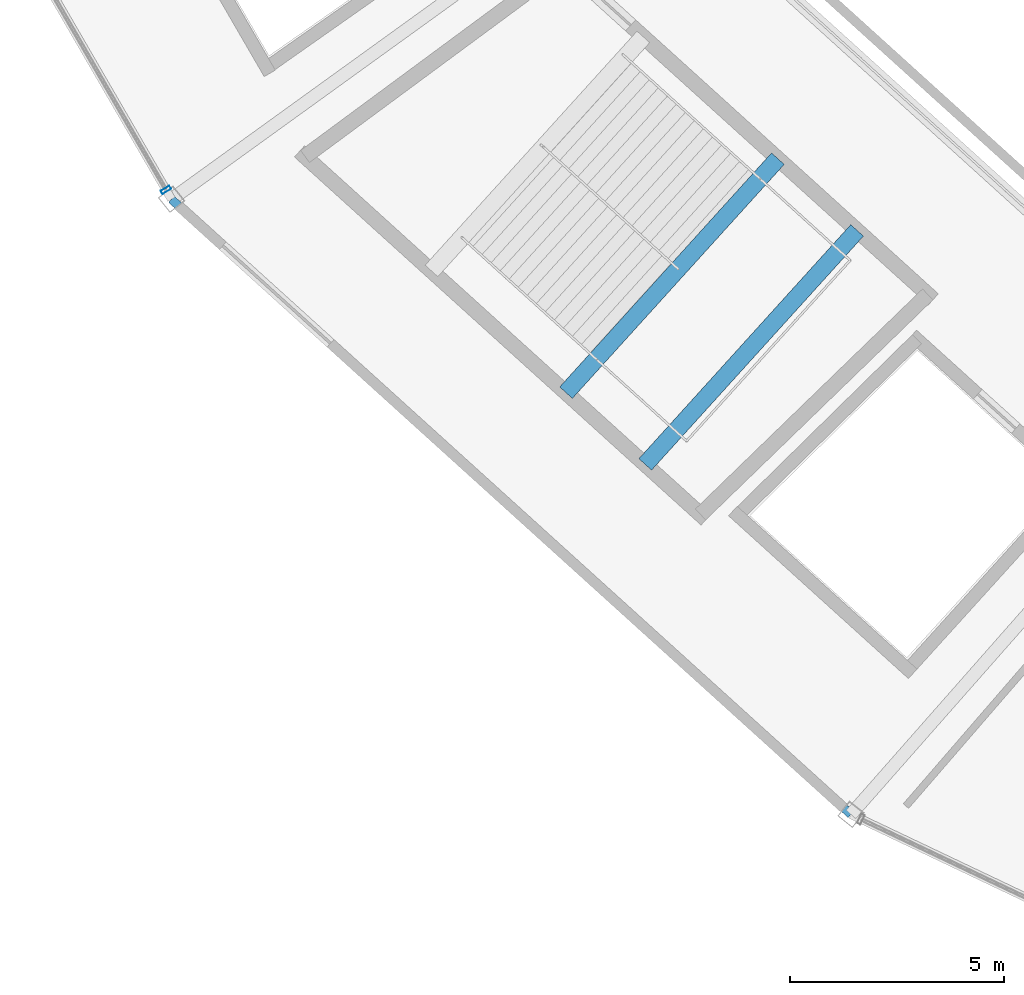
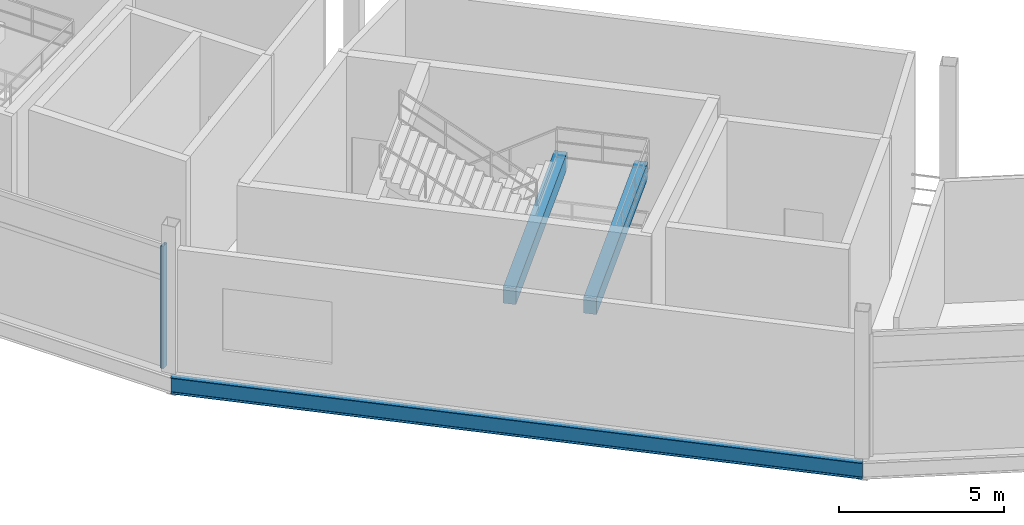
# One storey, part 11 of 103: 3 beams, 1 member, 1 element without a shape of its own.
"""IFC4 building model written with IfcOpenShell, lengths in metres."""

from ifc_helpers import new_model, si_unit, direction, frame, origin, origin_2d, place, context, subcontext, project, spatial, rectangle, hollow_rectangle, i_section, extrude, material, layer, layer_set, material_profile, profile_set, type_object, element, aggregate, save


model = new_model("IFC4")

# Units and contexts
model_context = context("Model", 3, precision=1e-05, world=origin(), true_north=direction((0.0, 1.0)))
body_context = subcontext(model_context, "Body", "Model", "MODEL_VIEW")
ifc_project = project(units=[si_unit("LENGTHUNIT", "METRE"), si_unit("AREAUNIT", "SQUARE_METRE"), si_unit("VOLUMEUNIT", "CUBIC_METRE"), si_unit("PLANEANGLEUNIT", "RADIAN"), si_unit("MASSUNIT", "GRAM", prefix="KILO")], contexts=[model_context])

# Site, building, storey
site_placement = place(None, origin())
site = spatial("IfcSite", under=ifc_project, at=site_placement, CompositionType="ELEMENT")
building_placement = place(site_placement, origin())
building = spatial("IfcBuilding", under=site, at=building_placement, Name="Kazemori Nagisa Stadium", CompositionType="ELEMENT")
storey_placement = place(building_placement, frame((0.0, 0.0, 25.840087890625)))
storey = spatial("IfcBuildingStorey", under=building, at=storey_placement, Name="L05", CompositionType="ELEMENT", Elevation=25.840087890625)

# Beams
ifc_material_1 = material(Name="Concrete C40/50 (Fc42)", Category="concrete")
ifc_material_profile_1 = material_profile(ifc_material_1, rectangle(XDim=0.39990234375, YDim=0.60009765625, at=origin_2d()), Name="RC-BM-400x600")
ifc_profile_set_1 = profile_set([ifc_material_profile_1], Name="Concrete C40/50 (Fc42)")
beam_type_1 = type_object("IfcBeamType", Name="Beam_BG-LND400X600", PredefinedType="BEAM", material=ifc_profile_set_1)
beam_1_placement = place(storey_placement, frame((58.692626953125, 46.282958984375, 2.219970703125), z_axis=(-0.671129682405, -0.741339968837, 0.0), x_axis=(0.741339968837, -0.671129682405, 0.0)))
element("IfcBeam", 1, at=beam_1_placement, inside=storey, type_object=beam_type_1, Name="Core stair mid-landing girder ST03-L05-1", PredefinedType="BEAM", context=body_context, shape_type="SweptSolid", body=[
    extrude(rectangle(XDim=0.39990234375, YDim=0.60009765625, at=origin_2d()), origin(), (0.0, 0.0, 1.0), 7.3857421875),
])
beam_2_placement = place(storey_placement, frame((60.5458984375, 44.605224609375, 2.219970703125), z_axis=(-0.671113236271, -0.74135485707, 0.0), x_axis=(0.74135485707, -0.671113236271, 0.0)))
element("IfcBeam", 2, at=beam_2_placement, inside=storey, type_object=beam_type_1, Name="Core stair mid-landing girder ST03-L05-2", PredefinedType="BEAM", context=body_context, shape_type="SweptSolid", body=[
    extrude(rectangle(XDim=0.39990234375, YDim=0.60009765625, at=origin_2d()), origin(), (0.0, 0.0, 1.0), 7.385986328125),
])
ifc_material_2 = material(Name="Steel SN490B", Category="steel")
ifc_material_profile_2 = material_profile(ifc_material_2, i_section(OverallWidth=0.199951171875, OverallDepth=0.60009765625, WebThickness=0.010986328125, FlangeThickness=0.01708984375, FilletRadius=0.012939453125, at=origin_2d()), Name="H-600x200x11x17")
ifc_profile_set_2 = profile_set([ifc_material_profile_2], Name="Steel SN490B")
beam_type_2 = type_object("IfcBeamType", Name="Beam_BS-H600", PredefinedType="SPANDREL", material=ifc_profile_set_2)
beam_3_placement = place(storey_placement, frame((44.504638671875, 45.332275390625, -0.56005859375), z_axis=(0.741351531326, -0.671116910084, 0.0), x_axis=(0.671116910084, 0.741351531326, 0.0)))
element("IfcBeam", 3, at=beam_3_placement, inside=storey, type_object=beam_type_2, Name="Ring girder BS-H600 L05 R3-18", PredefinedType="SPANDREL", context=body_context, shape_type="SweptSolid", body=[
    extrude(i_section(OverallWidth=0.199951171875, OverallDepth=0.60009765625, WebThickness=0.010986328125, FlangeThickness=0.01708984375, FilletRadius=0.012939453125, at=origin_2d()), origin(), (0.0, 0.0, 1.0), 21.44384765625),
])

# Curtain wall, member
ifc_material_3 = material(Name="Anodised aluminium 6063-T5", Category="aluminium")
ifc_layer = layer(ifc_material_3, 0.239990234375, Name="Anodised aluminium 6063-T5", Category="aluminium")
ifc_layer_set = layer_set([ifc_layer], Name="Anodised aluminium 6063-T5")
curtain_wall_type = type_object("IfcCurtainWallType", Name="CW_L05R3_101", PredefinedType="USERDEFINED", material=ifc_layer_set)
curtain_wall_placement = place(storey_placement, origin())
curtain_wall = element("IfcCurtainWall", 4, at=curtain_wall_placement, inside=storey, type_object=curtain_wall_type, Name="Unitised curtain wall CW-L05R3-101 L05", ObjectType="UNITISED CURTAIN WALL", PredefinedType="USERDEFINED")
ifc_material_4 = material(Name="Aluminium 6063-T5 anodised", Category="aluminium")
ifc_material_profile_3 = material_profile(ifc_material_4, hollow_rectangle(XDim=0.090087890625, YDim=0.239990234375, WallThickness=0.0048828125, at=origin_2d()), Name="ALU-MULL-90x240x5")
ifc_profile_set_3 = profile_set([ifc_material_profile_3], Name="Aluminium 6063-T5 anodised")
member_type = type_object("IfcMemberType", Name="Mullion_M03", PredefinedType="MULLION", material=ifc_profile_set_3)
member_placement = place(storey_placement, frame((44.376708984375, 45.552978515625, 0.0), z_axis=(0.0, 0.0, 1.0), x_axis=(0.501611590054, -0.865092950337, 0.0)))
member = element("IfcMember", 5, at=member_placement, type_object=member_type, Name="Curtain wall mullion CW-L05R3-101-M4", PredefinedType="MULLION", context=body_context, shape_type="SweptSolid", body=[
    extrude(hollow_rectangle(XDim=0.090087890625, YDim=0.239990234375, WallThickness=0.0048828125, at=origin_2d()), origin(), (0.0, 0.0, 1.0), 4.530029296875),
])
aggregate(curtain_wall, [member])

save(model, "model.ifc")
